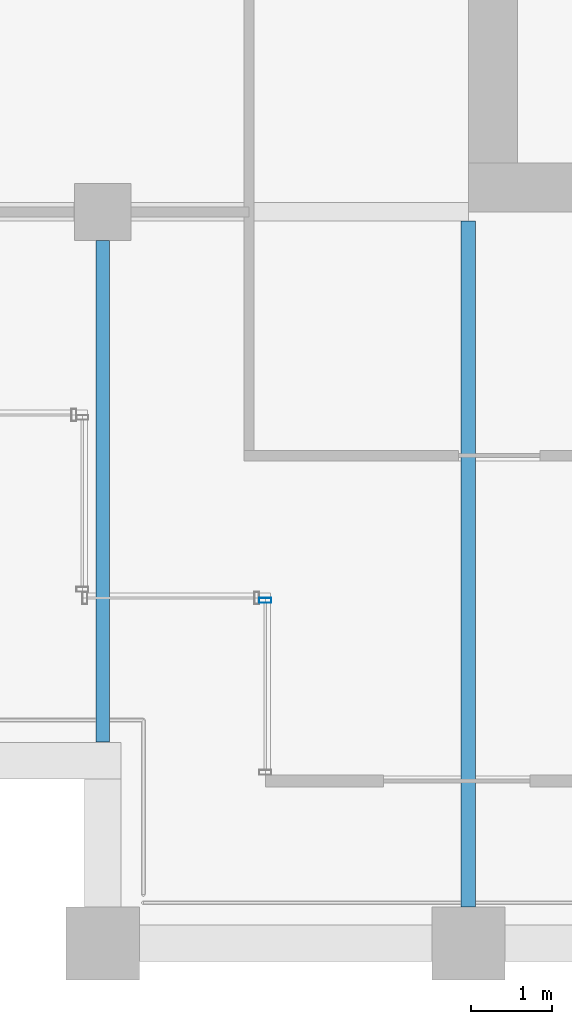
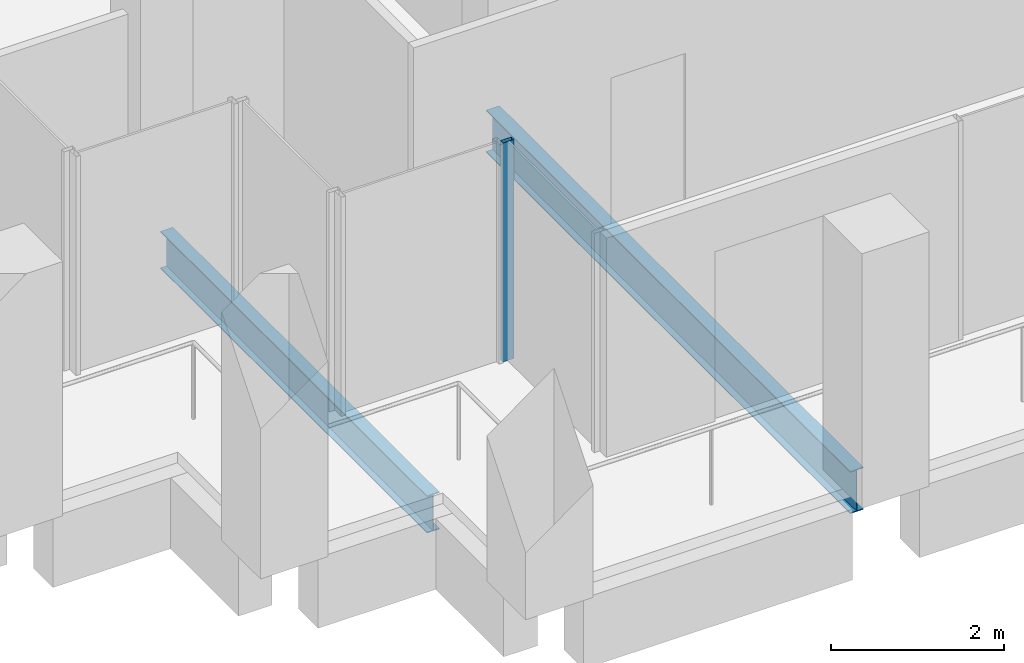
# One storey, part 29 of 40: 2 beams, 1 member, 1 element without a shape of its own.
"""IFC4 building model written with IfcOpenShell, lengths in metres."""

import ifcopenshell
import ifcopenshell.guid

model = None  # the IFC model being written
_history = None  # IfcOwnerHistory: only IFC2X3 demands one
_inside = {}  # id of a spatial element -> (the spatial element, [elements in it])
_under = {}  # id of a project, library or spatial element -> (it, [spatial elements below it])
_declared = {}  # id of a project -> (the project, [libraries it declares])
_typed = {}  # id of a type object -> (the type object, [elements of that type])
_made_of = {}  # id of a material, layer set ... -> (it, [elements and type objects made of it])


def new_model(schema):
    """Start an empty IFC model of exactly this schema.

    Asked for "IFC4X3", IfcOpenShell would pick the latest addendum, in which some entities
    have other attributes; the version numbers below select the first issue.
    IFC2X3 requires an IfcOwnerHistory on every rooted entity: one is made here for all.
    """
    global model, _history
    if schema == "IFC4X3":
        model = ifcopenshell.file(schema_version=(4, 3, 0, 0))
    else:
        model = ifcopenshell.file(schema=schema)
    _inside.clear()
    _under.clear()
    _declared.clear()
    _typed.clear()
    _made_of.clear()
    _history = None
    if model.schema == "IFC2X3":
        org = make("IfcOrganization", Name="unknown")
        user = make(
            "IfcPersonAndOrganization",
            ThePerson=make("IfcPerson", FamilyName="unknown"),
            TheOrganization=org,
        )
        app = make(
            "IfcApplication",
            ApplicationDeveloper=org,
            Version="unknown",
            ApplicationFullName="unknown",
            ApplicationIdentifier="unknown",
        )
        _history = make(
            "IfcOwnerHistory",
            OwningUser=user,
            OwningApplication=app,
            ChangeAction="ADDED",
            CreationDate=0,
        )
    return model


def make(cls, **values):
    """One entity of the class cls with the attributes given. An attribute that is None is left unset."""
    return model.create_entity(
        cls, **{name: value for name, value in values.items() if value is not None}
    )


def rooted(cls, **values):
    """An entity with a GlobalId (a new one), such as an element, a storey or a relation."""
    return make(cls, GlobalId=ifcopenshell.guid.new(), OwnerHistory=_history, **values)


def si_unit(unit_type, name, prefix=None):
    """IfcSIUnit, for example si_unit("LENGTHUNIT", "METRE", prefix="MILLI")."""
    return make("IfcSIUnit", UnitType=unit_type, Prefix=prefix, Name=name)


def assignment(units):
    """IfcUnitAssignment: the units of a project."""
    return None if units is None else make("IfcUnitAssignment", Units=units)


def point(xyz):
    """IfcCartesianPoint."""
    return None if xyz is None else make("IfcCartesianPoint", Coordinates=xyz)


def direction(xyz):
    """IfcDirection."""
    return None if xyz is None else make("IfcDirection", DirectionRatios=xyz)


def frame(location, z_axis=None, x_axis=None):
    """IfcAxis2Placement3D, a coordinate frame: its origin and axes. An axis left out is left unset."""
    return make(
        "IfcAxis2Placement3D",
        Location=point(location),
        Axis=direction(z_axis),
        RefDirection=direction(x_axis),
    )


def frame_2d(location, x_axis=None):
    """IfcAxis2Placement2D, a coordinate frame in the plane: its origin and x axis."""
    return make(
        "IfcAxis2Placement2D", Location=point(location), RefDirection=direction(x_axis)
    )


def origin():
    """The frame at (0, 0, 0) with its axes left unset."""
    return frame((0.0, 0.0, 0.0))


def origin_2d():
    """The frame at (0, 0) in the plane with its x axis left unset."""
    return frame_2d((0.0, 0.0))


def place(relative_to, where):
    """IfcLocalPlacement: puts the frame where relative to a parent placement (None: the world)."""
    return make(
        "IfcLocalPlacement", PlacementRelTo=relative_to, RelativePlacement=where
    )


def context(
    kind, dimensions, precision=None, world=None, true_north=None, identifier=None
):
    """IfcGeometricRepresentationContext, for example the 3D "Model" context."""
    return make(
        "IfcGeometricRepresentationContext",
        ContextIdentifier=identifier,
        ContextType=kind,
        CoordinateSpaceDimension=dimensions,
        Precision=precision,
        WorldCoordinateSystem=world,
        TrueNorth=true_north,
    )


def subcontext(parent, identifier, kind, view, scale=None):
    """IfcGeometricRepresentationSubContext, for example "Body" below "Model"."""
    return make(
        "IfcGeometricRepresentationSubContext",
        ContextIdentifier=identifier,
        ContextType=kind,
        ParentContext=parent,
        TargetScale=scale,
        TargetView=view,
    )


def project(units=None, contexts=None):
    """IfcProject with its units and contexts."""
    return rooted(
        "IfcProject",
        Name="project",
        RepresentationContexts=contexts,
        UnitsInContext=assignment(units),
    )


def spatial(cls, under=None, at=None, **own):
    """A site, building, storey or space (cls), placed at a placement, below another one or the project."""
    s = rooted(cls, ObjectPlacement=at, **own)
    if under is not None:
        _under.setdefault(under.id(), (under, []))[1].append(s)
    return s


def profile(cls, at=None, kind="AREA", **sizes):
    """A parametric profile (cls). Its sizes go by their IFC names, for example OverallWidth=200.0."""
    return make(cls, ProfileType=kind, Position=at, **sizes)


def hollow_rectangle(**sizes):
    """IfcRectangleHollowProfileDef."""
    return profile("IfcRectangleHollowProfileDef", **sizes)


def i_section(**sizes):
    """IfcIShapeProfileDef."""
    return profile("IfcIShapeProfileDef", **sizes)


def extrude(swept, where, along, depth):
    """IfcExtrudedAreaSolid: the profile swept, set in the frame where, extruded along a direction by depth."""
    return make(
        "IfcExtrudedAreaSolid",
        SweptArea=swept,
        Position=where,
        ExtrudedDirection=direction(along),
        Depth=depth,
    )


def shape(context_of_items, identifier, shape_type, items):
    """IfcShapeRepresentation: the items that make up one representation, for example the "Body"."""
    return make(
        "IfcShapeRepresentation",
        ContextOfItems=context_of_items,
        RepresentationIdentifier=identifier,
        RepresentationType=shape_type,
        Items=items,
    )


def material(Name=None, Category=None):
    """IfcMaterial."""
    return make("IfcMaterial", Name=Name, Category=Category)


def material_profile(
    of_material, cross_section, Name=None, Category=None, Priority=None
):
    """IfcMaterialProfile: a cross section and its material."""
    return make(
        "IfcMaterialProfile",
        Name=Name,
        Material=of_material,
        Profile=cross_section,
        Priority=Priority,
        Category=Category,
    )


def profile_set(profiles, Name=None, composite=None):
    """IfcMaterialProfileSet."""
    return make(
        "IfcMaterialProfileSet",
        Name=Name,
        MaterialProfiles=profiles,
        CompositeProfile=composite,
    )


def made_of(thing, what):
    """Note that an element or type object is made of a material, layer set ...; save() writes the relation."""
    if what is not None:
        _made_of.setdefault(what.id(), (what, []))[1].append(thing)
    return thing


def type_object(cls, material=None, **own):
    """A type object (cls), such as IfcWallType, which elements share."""
    return made_of(rooted(cls, **own), material)


def element(
    cls,
    number,
    at=None,
    inside=None,
    cuts=None,
    type_object=None,
    material=None,
    context=None,
    identifier="Body",
    shape_type=None,
    held_by="IfcProductDefinitionShape",
    body=None,
    shapes=None,
    **own,
):
    """One element of the class cls, such as IfcWall. Its Tag is "e" and its number.

    at: its placement. inside: the storey or other place that contains it. cuts: it is an
    opening in that element (IfcRelVoidsElement). A single representation is given by context,
    identifier, shape_type and body (its items); several are given by shapes. held_by: the class
    of the entity that holds the representations. save() writes the other relations.
    """
    e = rooted(cls, Tag="e%d" % number, ObjectPlacement=at, **own)
    if body is not None:
        shapes = [shape(context, identifier, shape_type, body)]
    if shapes is not None:
        e.Representation = make(held_by, Representations=shapes)
    if inside is not None:
        _inside.setdefault(inside.id(), (inside, []))[1].append(e)
    if cuts is not None:
        rooted(
            "IfcRelVoidsElement", RelatingBuildingElement=cuts, RelatedOpeningElement=e
        )
    if type_object is not None:
        _typed.setdefault(type_object.id(), (type_object, []))[1].append(e)
    return made_of(e, material)


def aggregate(whole, parts):
    """IfcRelAggregates: a whole, such as a stair, and the parts it consists of."""
    return rooted("IfcRelAggregates", RelatingObject=whole, RelatedObjects=parts)


def save(model, path):
    """Write the relations noted so far, then the file.

    IfcRelAggregates (storeys below a building ...), IfcRelContainedInSpatialStructure (elements
    in a storey), IfcRelDefinesByType, IfcRelAssociatesMaterial and IfcRelDeclares: one each for
    every whole, place, type object, material and project.
    """
    for whole, parts in _under.values():
        aggregate(whole, parts)
    for where, things in _inside.values():
        rooted(
            "IfcRelContainedInSpatialStructure",
            RelatedElements=things,
            RelatingStructure=where,
        )
    for kind, things in _typed.values():
        rooted("IfcRelDefinesByType", RelatedObjects=things, RelatingType=kind)
    for what, things in _made_of.values():
        rooted("IfcRelAssociatesMaterial", RelatedObjects=things, RelatingMaterial=what)
    for by, libraries in _declared.values():
        rooted("IfcRelDeclares", RelatingContext=by, RelatedDefinitions=libraries)
    model.write(path)


model = new_model("IFC4")

# Units and contexts
model_context = context("Model", 3, precision=1e-05, world=origin(), true_north=direction((0.0, 1.0)))
body_context = subcontext(model_context, "Body", "Model", "MODEL_VIEW")
ifc_project = project(units=[si_unit("LENGTHUNIT", "METRE"), si_unit("AREAUNIT", "SQUARE_METRE"), si_unit("VOLUMEUNIT", "CUBIC_METRE"), si_unit("PLANEANGLEUNIT", "RADIAN"), si_unit("MASSUNIT", "GRAM", prefix="KILO")], contexts=[model_context])

# Site, building, storey
site_placement = place(None, origin())
site = spatial("IfcSite", under=ifc_project, at=site_placement, CompositionType="ELEMENT")
building_placement = place(site_placement, origin())
building = spatial("IfcBuilding", under=site, at=building_placement, Name="Altepetl Exchange Towers", CompositionType="ELEMENT")
storey_placement = place(building_placement, frame((0.0, 0.0, 154.60009765625)))
storey = spatial("IfcBuildingStorey", under=building, at=storey_placement, Name="L38", CompositionType="ELEMENT", Elevation=154.60009765625)

# Beams
ifc_material_1 = material(Name="Steel S355", Category="steel")
ifc_material_profile_1 = material_profile(ifc_material_1, i_section(OverallWidth=0.166015625, OverallDepth=0.529052734375, WebThickness=0.009765625, FlangeThickness=0.013671875, at=origin_2d()), Name="W21X50")
ifc_profile_set_1 = profile_set([ifc_material_profile_1], Name="Steel S355")
beam_type_1 = type_object("IfcBeamType", Name="Floor beam W21X50", PredefinedType="BEAM", material=ifc_profile_set_1)
beam_1_placement = place(storey_placement, frame((99.0, 29.47509765625, -0.41455078125), z_axis=(0.0, 1.0, 0.0), x_axis=(-1.0, 0.0, 0.0)))
element("IfcBeam", 1, at=beam_1_placement, inside=storey, type_object=beam_type_1, Name="bm:B:L38:000", PredefinedType="BEAM", context=body_context, shape_type="SweptSolid", body=[
    extrude(i_section(OverallWidth=0.166015625, OverallDepth=0.529052734375, WebThickness=0.009765625, FlangeThickness=0.013671875, at=origin_2d()), origin(), (0.0, 0.0, 1.0), 6.1748046875),
])
ifc_material_profile_2 = material_profile(ifc_material_1, i_section(OverallWidth=0.177978515625, OverallDepth=0.59912109375, WebThickness=0.010009765625, FlangeThickness=0.0126953125, at=origin_2d()), Name="W24X55")
ifc_profile_set_2 = profile_set([ifc_material_profile_2], Name="Steel S355")
beam_type_2 = type_object("IfcBeamType", Name="Floor beam W24X55", PredefinedType="BEAM", material=ifc_profile_set_2)
beam_2_placement = place(storey_placement, frame((103.5, 27.449951171875, -0.44970703125), z_axis=(0.0, 1.0, 0.0), x_axis=(-1.0, 0.0, 0.0)))
element("IfcBeam", 2, at=beam_2_placement, inside=storey, type_object=beam_type_2, Name="bm:B:L38:001", PredefinedType="BEAM", context=body_context, shape_type="SweptSolid", body=[
    extrude(i_section(OverallWidth=0.177978515625, OverallDepth=0.59912109375, WebThickness=0.010009765625, FlangeThickness=0.0126953125, at=origin_2d()), origin(), (0.0, 0.0, 1.0), 8.43603515625),
])

# Curtain wall, member
ifc_material_2 = material(Name="Aluminium 6063-T6 glazing", Category="aluminium")
curtain_wall_type = type_object("IfcCurtainWallType", Name="Loggia glazing system", PredefinedType="NOTDEFINED", material=ifc_material_2)
curtain_wall_placement = place(storey_placement, origin())
curtain_wall = element("IfcCurtainWall", 3, at=curtain_wall_placement, inside=storey, type_object=curtain_wall_type, Name="CW1 run", PredefinedType="NOTDEFINED")
ifc_material_3 = material(Name="Aluminium 6063-T6", Category="aluminium")
ifc_material_profile_3 = material_profile(ifc_material_3, hollow_rectangle(XDim=0.06005859375, YDim=0.14990234375, WallThickness=0.0029296875, at=origin_2d()), Name="Mullion 60x150 aluminium")
ifc_profile_set_3 = profile_set([ifc_material_profile_3], Name="Aluminium 6063-T6")
member_type = type_object("IfcMemberType", Name="Mullion 60x150 aluminium", PredefinedType="MULLION", material=ifc_profile_set_3)
member_placement = place(storey_placement, frame((101.0, 31.219970703125, 0.0), z_axis=(0.0, 0.0, 1.0), x_axis=(0.0, -1.0, 0.0)))
member = element("IfcMember", 4, at=member_placement, type_object=member_type, Name="MU1 mullion", PredefinedType="MULLION", context=body_context, shape_type="SweptSolid", body=[
    extrude(hollow_rectangle(XDim=0.06005859375, YDim=0.14990234375, WallThickness=0.0029296875, at=origin_2d()), origin(), (0.0, 0.0, 1.0), 3.099853515625),
])
aggregate(curtain_wall, [member])

save(model, "model.ifc")
